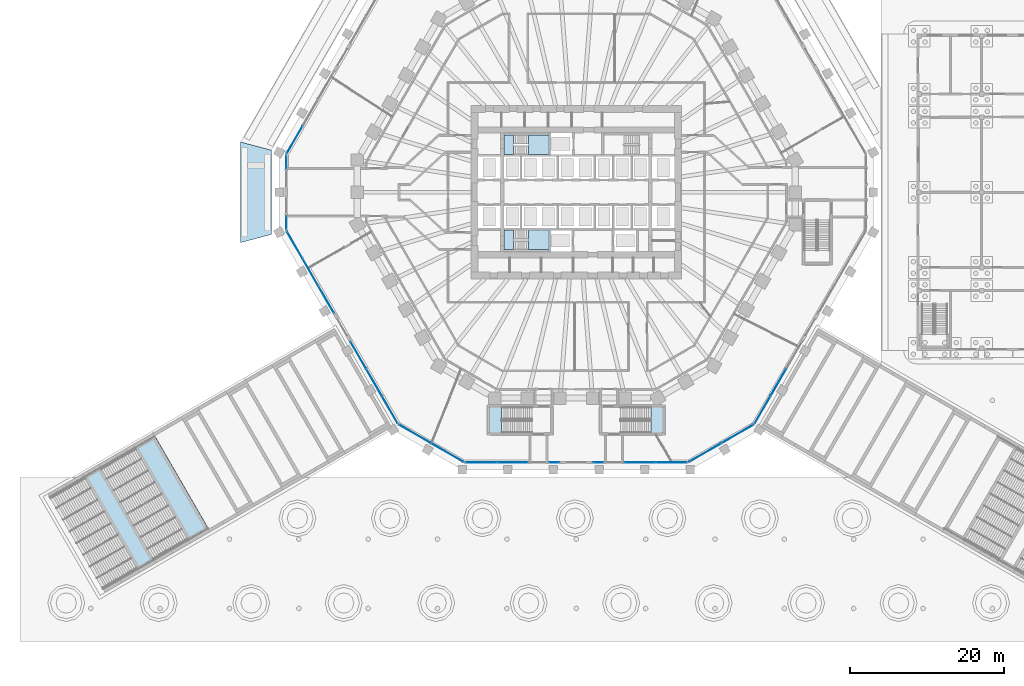
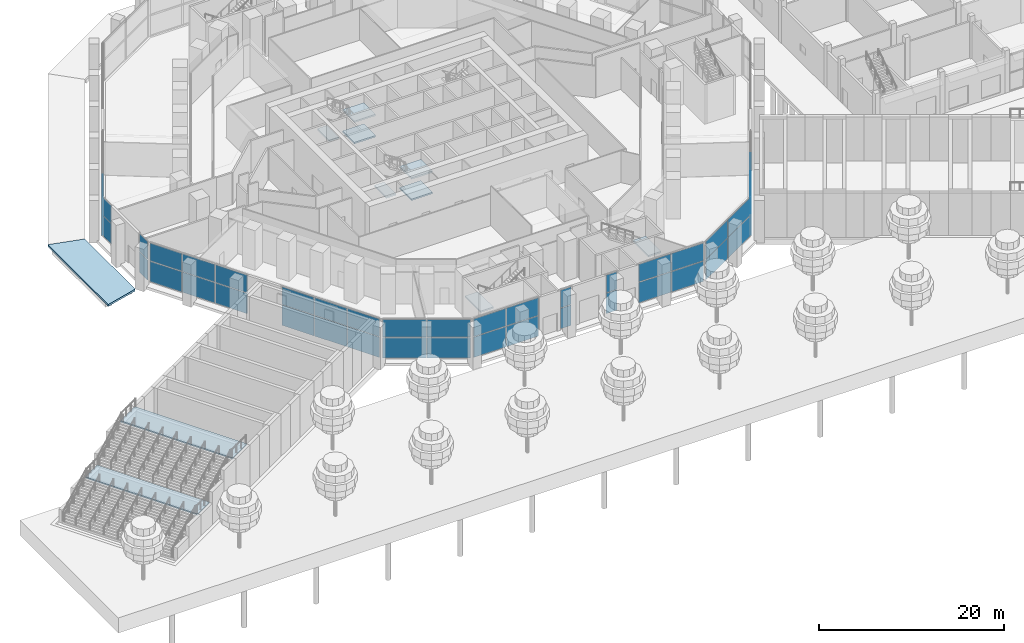
# One storey, part 12 of 44: 42 plates, 11 slabs, 17 elements without a shape of their own.
"""IFC4 building model written with IfcOpenShell, lengths in metres."""

from ifc_helpers import new_model, si_unit, direction, frame, origin, origin_2d, place, context, subcontext, project, spatial, polyline, rectangle, outline, extrude, material, layer, layer_set, type_object, element, aggregate, save


model = new_model("IFC4")

# Units and contexts
model_context = context("Model", 3, precision=1e-05, world=origin(), true_north=direction((0.0, 1.0)))
body_context = subcontext(model_context, "Body", "Model", "MODEL_VIEW")
ifc_project = project(units=[si_unit("LENGTHUNIT", "METRE"), si_unit("AREAUNIT", "SQUARE_METRE"), si_unit("VOLUMEUNIT", "CUBIC_METRE"), si_unit("PLANEANGLEUNIT", "RADIAN"), si_unit("MASSUNIT", "GRAM", prefix="KILO")], contexts=[model_context])

# Site, building, storey
site_placement = place(None, origin())
site = spatial("IfcSite", under=ifc_project, at=site_placement, CompositionType="ELEMENT")
building_placement = place(site_placement, origin())
building = spatial("IfcBuilding", under=site, at=building_placement, Name="Frailejon Research Tower", CompositionType="ELEMENT")
storey_placement = place(building_placement, origin())
storey = spatial("IfcBuildingStorey", under=building, at=storey_placement, Name="L00", CompositionType="ELEMENT", Elevation=0.0)

# Stair, slabs
ifc_material_1 = material(Name="Concrete C35/45", Category="concrete")
stair_type_1 = type_object("IfcStairType", Name="Broad stair", PredefinedType="STRAIGHT_RUN_STAIR", material=ifc_material_1)
stair_1_placement = place(storey_placement, origin())
stair_1 = element("IfcStair", 1, at=stair_1_placement, inside=storey, type_object=stair_type_1, Name="Broad stair W1", PredefinedType="STRAIGHT_RUN_STAIR")
ifc_material_2 = material(Name="Concrete C35/45", Category="concrete")
ifc_layer_1 = layer(ifc_material_2, 0.199951171875)
ifc_layer_set_1 = layer_set([ifc_layer_1], Name="Broad stair landing")
slab_type_1 = type_object("IfcSlabType", Name="Broad stair landing", PredefinedType="LANDING", material=ifc_layer_set_1)
slab_1_placement = place(storey_placement, frame((0.0, 0.0, 5.39990234375)))
slab_1 = element("IfcSlab", 2, at=slab_1_placement, type_object=slab_type_1, Name="SS-W1 landing 1", PredefinedType="LANDING", context=body_context, shape_type="SweptSolid", body=[
    extrude(outline(polyline([(-54.689453125, -31.574951171875), (-57.374267578125, -33.125), (-50.374267578125, -45.24951171875), (-47.689453125, -43.699462890625), (-54.689453125, -31.574951171875)])), origin(), (0.0, 0.0, 1.0), 0.2001953125),
])
slab_2_placement = place(storey_placement, frame((0.0, 0.0, 2.60009765625)))
slab_2 = element("IfcSlab", 3, at=slab_2_placement, type_object=slab_type_1, Name="SS-W1 landing 2", PredefinedType="LANDING", context=body_context, shape_type="SweptSolid", body=[
    extrude(outline(polyline([(-61.704345703125, -35.625), (-63.9560546875, -36.925048828125), (-56.9560546875, -49.04931640625), (-54.704345703125, -47.74951171875), (-61.704345703125, -35.625)])), origin(), (0.0, 0.0, 1.0), 0.199951171875),
])
aggregate(stair_1, [slab_1, slab_2])

# Curtain wall, plates
ifc_material_3 = material(Name="Aluminium curtain wall", Category="aluminium")
curtain_wall_type = type_object("IfcCurtainWallType", Name="Lobby atrium curtain wall system", PredefinedType="NOTDEFINED", material=ifc_material_3)
curtain_wall_1_placement = place(storey_placement, origin())
curtain_wall_1 = element("IfcCurtainWall", 4, at=curtain_wall_1_placement, inside=storey, type_object=curtain_wall_type, Name="Curtain wall L00", PredefinedType="NOTDEFINED")
ifc_material_4 = material(Name="Clear laminated glass", Category="glass")
ifc_layer_2 = layer(ifc_material_4, 0.035888671875)
ifc_layer_set_2 = layer_set([ifc_layer_2], Name="Lobby atrium curtain wall glass panel 36")
plate_type = type_object("IfcPlateType", Name="Lobby atrium curtain wall glass panel 36", PredefinedType="CURTAIN_PANEL", material=ifc_layer_set_2)
plate_1_placement = place(storey_placement, frame((-36.53173828125, 6.8251953125, 0.080078125), z_axis=(0.0, 0.0, 1.0), x_axis=(-0.499999762196, -0.866025541081, 0.0)))
plate_1 = element("IfcPlate", 5, at=plate_1_placement, type_object=plate_type, Name="CW1-010 panel 3.1", PredefinedType="CURTAIN_PANEL", context=body_context, shape_type="SweptSolid", body=[
    extrude(rectangle(XDim=3.989990234375, YDim=0.035888671875, at=origin_2d()), origin(), (0.0, 0.0, 1.0), 2.679931640625),
])
plate_2_placement = place(storey_placement, frame((-36.53173828125, 6.8251953125, 2.83984375), z_axis=(0.0, 0.0, 1.0), x_axis=(-0.499999762196, -0.866025541081, 0.0)))
plate_2 = element("IfcPlate", 6, at=plate_2_placement, type_object=plate_type, Name="CW1-010 panel 3.2", PredefinedType="CURTAIN_PANEL", context=body_context, shape_type="SweptSolid", body=[
    extrude(rectangle(XDim=3.989990234375, YDim=0.035888671875, at=origin_2d()), origin(), (0.0, 0.0, 1.0), 2.330078125),
])
aggregate(curtain_wall_1, [plate_1, plate_2])

curtain_wall_2_placement = place(storey_placement, origin())
curtain_wall_2 = element("IfcCurtainWall", 7, at=curtain_wall_2_placement, inside=storey, type_object=curtain_wall_type, Name="Curtain wall L00", PredefinedType="NOTDEFINED")
plate_3_placement = place(storey_placement, frame((-37.619140625, 3.9208984375, 0.080078125), z_axis=(0.0, 0.0, 1.0), x_axis=(0.0, -1.0, 0.0)))
plate_3 = element("IfcPlate", 8, at=plate_3_placement, type_object=plate_type, Name="CW1-011 panel 1.1", PredefinedType="CURTAIN_PANEL", context=body_context, shape_type="SweptSolid", body=[
    extrude(rectangle(XDim=1.681640625, YDim=0.035888671875, at=origin_2d()), origin(), (0.0, 0.0, 1.0), 2.679931640625),
])
plate_4_placement = place(storey_placement, frame((-37.619140625, 3.9208984375, 2.83984375), z_axis=(0.0, 0.0, 1.0), x_axis=(0.0, -1.0, 0.0)))
plate_4 = element("IfcPlate", 9, at=plate_4_placement, type_object=plate_type, Name="CW1-011 panel 1.2", PredefinedType="CURTAIN_PANEL", context=body_context, shape_type="SweptSolid", body=[
    extrude(rectangle(XDim=1.681640625, YDim=0.035888671875, at=origin_2d()), origin(), (0.0, 0.0, 1.0), 2.330078125),
])
aggregate(curtain_wall_2, [plate_3, plate_4])

curtain_wall_3_placement = place(storey_placement, origin())
curtain_wall_3 = element("IfcCurtainWall", 10, at=curtain_wall_3_placement, inside=storey, type_object=curtain_wall_type, Name="Curtain wall L00", PredefinedType="NOTDEFINED")
plate_5_placement = place(storey_placement, frame((-37.619140625, -3.9208984375, 0.080078125), z_axis=(0.0, 0.0, 1.0), x_axis=(0.0, -1.0, 0.0)))
plate_5 = element("IfcPlate", 11, at=plate_5_placement, type_object=plate_type, Name="CW1-012 panel 1.1", PredefinedType="CURTAIN_PANEL", context=body_context, shape_type="SweptSolid", body=[
    extrude(rectangle(XDim=1.681640625, YDim=0.035888671875, at=origin_2d()), origin(), (0.0, 0.0, 1.0), 2.679931640625),
])
plate_6_placement = place(storey_placement, frame((-37.619140625, -3.9208984375, 2.83984375), z_axis=(0.0, 0.0, 1.0), x_axis=(0.0, -1.0, 0.0)))
plate_6 = element("IfcPlate", 12, at=plate_6_placement, type_object=plate_type, Name="CW1-012 panel 1.2", PredefinedType="CURTAIN_PANEL", context=body_context, shape_type="SweptSolid", body=[
    extrude(rectangle(XDim=1.681640625, YDim=0.035888671875, at=origin_2d()), origin(), (0.0, 0.0, 1.0), 2.330078125),
])
aggregate(curtain_wall_3, [plate_5, plate_6])

curtain_wall_4_placement = place(storey_placement, origin())
curtain_wall_4 = element("IfcCurtainWall", 13, at=curtain_wall_4_placement, inside=storey, type_object=curtain_wall_type, Name="Curtain wall L00", PredefinedType="NOTDEFINED")
plate_7_placement = place(storey_placement, frame((-36.53173828125, -6.8251953125, 0.080078125), z_axis=(0.0, 0.0, 1.0), x_axis=(0.499999762196, -0.866025541081, 0.0)))
plate_7 = element("IfcPlate", 14, at=plate_7_placement, type_object=plate_type, Name="CW1-013 panel 1.1", PredefinedType="CURTAIN_PANEL", context=body_context, shape_type="SweptSolid", body=[
    extrude(rectangle(XDim=3.989990234375, YDim=0.035888671875, at=origin_2d()), origin(), (0.0, 0.0, 1.0), 2.679931640625),
])
plate_8_placement = place(storey_placement, frame((-36.53173828125, -6.8251953125, 2.83984375), z_axis=(0.0, 0.0, 1.0), x_axis=(0.499999762196, -0.866025541081, 0.0)))
plate_8 = element("IfcPlate", 15, at=plate_8_placement, type_object=plate_type, Name="CW1-013 panel 1.2", PredefinedType="CURTAIN_PANEL", context=body_context, shape_type="SweptSolid", body=[
    extrude(rectangle(XDim=3.989990234375, YDim=0.035888671875, at=origin_2d()), origin(), (0.0, 0.0, 1.0), 2.330078125),
])
plate_9_placement = place(storey_placement, frame((-34.48681640625, -10.3671875, 0.080078125), z_axis=(0.0, 0.0, 1.0), x_axis=(0.499999762196, -0.866025541081, 0.0)))
plate_9 = element("IfcPlate", 16, at=plate_9_placement, type_object=plate_type, Name="CW1-013 panel 2.1", PredefinedType="CURTAIN_PANEL", context=body_context, shape_type="SweptSolid", body=[
    extrude(rectangle(XDim=4.030029296875, YDim=0.035888671875, at=origin_2d()), origin(), (0.0, 0.0, 1.0), 2.679931640625),
])
plate_10_placement = place(storey_placement, frame((-34.48681640625, -10.3671875, 2.83984375), z_axis=(0.0, 0.0, 1.0), x_axis=(0.499999762196, -0.866025541081, 0.0)))
plate_10 = element("IfcPlate", 17, at=plate_10_placement, type_object=plate_type, Name="CW1-013 panel 2.2", PredefinedType="CURTAIN_PANEL", context=body_context, shape_type="SweptSolid", body=[
    extrude(rectangle(XDim=4.030029296875, YDim=0.035888671875, at=origin_2d()), origin(), (0.0, 0.0, 1.0), 2.330078125),
])
plate_11_placement = place(storey_placement, frame((-32.441650390625, -13.9091796875, 0.080078125), z_axis=(0.0, 0.0, 1.0), x_axis=(0.499999762196, -0.866025541081, 0.0)))
plate_11 = element("IfcPlate", 18, at=plate_11_placement, type_object=plate_type, Name="CW1-013 panel 3.1", PredefinedType="CURTAIN_PANEL", context=body_context, shape_type="SweptSolid", body=[
    extrude(rectangle(XDim=3.989990234375, YDim=0.035888671875, at=origin_2d()), origin(), (0.0, 0.0, 1.0), 2.679931640625),
])
plate_12_placement = place(storey_placement, frame((-32.441650390625, -13.9091796875, 2.83984375), z_axis=(0.0, 0.0, 1.0), x_axis=(0.499999762196, -0.866025541081, 0.0)))
plate_12 = element("IfcPlate", 19, at=plate_12_placement, type_object=plate_type, Name="CW1-013 panel 3.2", PredefinedType="CURTAIN_PANEL", context=body_context, shape_type="SweptSolid", body=[
    extrude(rectangle(XDim=3.989990234375, YDim=0.035888671875, at=origin_2d()), origin(), (0.0, 0.0, 1.0), 2.330078125),
])
aggregate(curtain_wall_4, [plate_7, plate_8, plate_9, plate_10, plate_11, plate_12])

curtain_wall_5_placement = place(storey_placement, origin())
curtain_wall_5 = element("IfcCurtainWall", 20, at=curtain_wall_5_placement, inside=storey, type_object=curtain_wall_type, Name="Curtain wall L00", PredefinedType="NOTDEFINED")
plate_13_placement = place(storey_placement, frame((-28.2666015625, -21.140625, 0.080078125), z_axis=(0.0, 0.0, 1.0), x_axis=(0.499999762196, -0.866025541081, 0.0)))
plate_13 = element("IfcPlate", 21, at=plate_13_placement, type_object=plate_type, Name="CW1-014 panel 1.1", PredefinedType="CURTAIN_PANEL", context=body_context, shape_type="SweptSolid", body=[
    extrude(rectangle(XDim=3.989990234375, YDim=0.035888671875, at=origin_2d()), origin(), (0.0, 0.0, 1.0), 2.679931640625),
])
plate_14_placement = place(storey_placement, frame((-28.2666015625, -21.140625, 2.83984375), z_axis=(0.0, 0.0, 1.0), x_axis=(0.499999762196, -0.866025541081, 0.0)))
plate_14 = element("IfcPlate", 22, at=plate_14_placement, type_object=plate_type, Name="CW1-014 panel 1.2", PredefinedType="CURTAIN_PANEL", context=body_context, shape_type="SweptSolid", body=[
    extrude(rectangle(XDim=3.989990234375, YDim=0.035888671875, at=origin_2d()), origin(), (0.0, 0.0, 1.0), 2.330078125),
])
plate_15_placement = place(storey_placement, frame((-26.2216796875, -24.682861328125, 0.080078125), z_axis=(0.0, 0.0, 1.0), x_axis=(0.499999762196, -0.866025541081, 0.0)))
plate_15 = element("IfcPlate", 23, at=plate_15_placement, type_object=plate_type, Name="CW1-014 panel 2.1", PredefinedType="CURTAIN_PANEL", context=body_context, shape_type="SweptSolid", body=[
    extrude(rectangle(XDim=4.030029296875, YDim=0.035888671875, at=origin_2d()), origin(), (0.0, 0.0, 1.0), 2.679931640625),
])
plate_16_placement = place(storey_placement, frame((-26.2216796875, -24.682861328125, 2.83984375), z_axis=(0.0, 0.0, 1.0), x_axis=(0.499999762196, -0.866025541081, 0.0)))
plate_16 = element("IfcPlate", 24, at=plate_16_placement, type_object=plate_type, Name="CW1-014 panel 2.2", PredefinedType="CURTAIN_PANEL", context=body_context, shape_type="SweptSolid", body=[
    extrude(rectangle(XDim=4.030029296875, YDim=0.035888671875, at=origin_2d()), origin(), (0.0, 0.0, 1.0), 2.330078125),
])
plate_17_placement = place(storey_placement, frame((-24.1767578125, -28.224853515625, 0.080078125), z_axis=(0.0, 0.0, 1.0), x_axis=(0.499999762196, -0.866025541081, 0.0)))
plate_17 = element("IfcPlate", 25, at=plate_17_placement, type_object=plate_type, Name="CW1-014 panel 3.1", PredefinedType="CURTAIN_PANEL", context=body_context, shape_type="SweptSolid", body=[
    extrude(rectangle(XDim=3.989990234375, YDim=0.035888671875, at=origin_2d()), origin(), (0.0, 0.0, 1.0), 2.679931640625),
])
plate_18_placement = place(storey_placement, frame((-24.1767578125, -28.224853515625, 2.83984375), z_axis=(0.0, 0.0, 1.0), x_axis=(0.499999762196, -0.866025541081, 0.0)))
plate_18 = element("IfcPlate", 26, at=plate_18_placement, type_object=plate_type, Name="CW1-014 panel 3.2", PredefinedType="CURTAIN_PANEL", context=body_context, shape_type="SweptSolid", body=[
    extrude(rectangle(XDim=3.989990234375, YDim=0.035888671875, at=origin_2d()), origin(), (0.0, 0.0, 1.0), 2.330078125),
])
aggregate(curtain_wall_5, [plate_13, plate_14, plate_15, plate_16, plate_17, plate_18])

curtain_wall_6_placement = place(storey_placement, origin())
curtain_wall_6 = element("IfcCurtainWall", 27, at=curtain_wall_6_placement, inside=storey, type_object=curtain_wall_type, Name="Curtain wall L00", PredefinedType="NOTDEFINED")
plate_19_placement = place(storey_placement, frame((-20.888916015625, -31.37890625, 0.080078125), z_axis=(0.0, 0.0, 1.0), x_axis=(0.866025476338, -0.499999874334, 0.0)))
plate_19 = element("IfcPlate", 28, at=plate_19_placement, type_object=plate_type, Name="CW1-015 panel 1.1", PredefinedType="CURTAIN_PANEL", context=body_context, shape_type="SweptSolid", body=[
    extrude(rectangle(XDim=4.7216796875, YDim=0.035888671875, at=origin_2d()), origin(), (0.0, 0.0, 1.0), 2.679931640625),
])
plate_20_placement = place(storey_placement, frame((-20.888916015625, -31.37890625, 2.83984375), z_axis=(0.0, 0.0, 1.0), x_axis=(0.866025476338, -0.499999874334, 0.0)))
plate_20 = element("IfcPlate", 29, at=plate_20_placement, type_object=plate_type, Name="CW1-015 panel 1.2", PredefinedType="CURTAIN_PANEL", context=body_context, shape_type="SweptSolid", body=[
    extrude(rectangle(XDim=4.7216796875, YDim=0.035888671875, at=origin_2d()), origin(), (0.0, 0.0, 1.0), 2.330078125),
])
plate_21_placement = place(storey_placement, frame((-16.73046875, -33.779541015625, 0.080078125), z_axis=(0.0, 0.0, 1.0), x_axis=(0.866025476338, -0.499999874334, 0.0)))
plate_21 = element("IfcPlate", 30, at=plate_21_placement, type_object=plate_type, Name="CW1-015 panel 2.1", PredefinedType="CURTAIN_PANEL", context=body_context, shape_type="SweptSolid", body=[
    extrude(rectangle(XDim=4.7216796875, YDim=0.035888671875, at=origin_2d()), origin(), (0.0, 0.0, 1.0), 2.679931640625),
])
plate_22_placement = place(storey_placement, frame((-16.73046875, -33.779541015625, 2.83984375), z_axis=(0.0, 0.0, 1.0), x_axis=(0.866025476338, -0.499999874334, 0.0)))
plate_22 = element("IfcPlate", 31, at=plate_22_placement, type_object=plate_type, Name="CW1-015 panel 2.2", PredefinedType="CURTAIN_PANEL", context=body_context, shape_type="SweptSolid", body=[
    extrude(rectangle(XDim=4.7216796875, YDim=0.035888671875, at=origin_2d()), origin(), (0.0, 0.0, 1.0), 2.330078125),
])
aggregate(curtain_wall_6, [plate_19, plate_20, plate_21, plate_22])

curtain_wall_7_placement = place(storey_placement, origin())
curtain_wall_7 = element("IfcCurtainWall", 32, at=curtain_wall_7_placement, inside=storey, type_object=curtain_wall_type, Name="Curtain wall L00", PredefinedType="NOTDEFINED")
plate_23_placement = place(storey_placement, frame((-12.351806640625, -35.050048828125, 0.080078125), z_axis=(0.0, 0.0, 1.0), x_axis=(1.0, 0.0, 0.0)))
plate_23 = element("IfcPlate", 33, at=plate_23_placement, type_object=plate_type, Name="CW1-016 panel 1.1", PredefinedType="CURTAIN_PANEL", context=body_context, shape_type="SweptSolid", body=[
    extrude(rectangle(XDim=3.99658203125, YDim=0.035888671875, at=origin_2d()), origin(), (0.0, 0.0, 1.0), 2.679931640625),
])
plate_24_placement = place(storey_placement, frame((-12.351806640625, -35.050048828125, 2.83984375), z_axis=(0.0, 0.0, 1.0), x_axis=(1.0, 0.0, 0.0)))
plate_24 = element("IfcPlate", 34, at=plate_24_placement, type_object=plate_type, Name="CW1-016 panel 1.2", PredefinedType="CURTAIN_PANEL", context=body_context, shape_type="SweptSolid", body=[
    extrude(rectangle(XDim=3.99658203125, YDim=0.035888671875, at=origin_2d()), origin(), (0.0, 0.0, 1.0), 2.330078125),
])
plate_25_placement = place(storey_placement, frame((-8.275390625, -35.050048828125, 0.080078125), z_axis=(0.0, 0.0, 1.0), x_axis=(1.0, 0.0, 0.0)))
plate_25 = element("IfcPlate", 35, at=plate_25_placement, type_object=plate_type, Name="CW1-016 panel 2.1", PredefinedType="CURTAIN_PANEL", context=body_context, shape_type="SweptSolid", body=[
    extrude(rectangle(XDim=3.99658203125, YDim=0.035888671875, at=origin_2d()), origin(), (0.0, 0.0, 1.0), 2.679931640625),
])
plate_26_placement = place(storey_placement, frame((-8.275390625, -35.050048828125, 2.83984375), z_axis=(0.0, 0.0, 1.0), x_axis=(1.0, 0.0, 0.0)))
plate_26 = element("IfcPlate", 36, at=plate_26_placement, type_object=plate_type, Name="CW1-016 panel 2.2", PredefinedType="CURTAIN_PANEL", context=body_context, shape_type="SweptSolid", body=[
    extrude(rectangle(XDim=3.99658203125, YDim=0.035888671875, at=origin_2d()), origin(), (0.0, 0.0, 1.0), 2.330078125),
])
aggregate(curtain_wall_7, [plate_23, plate_24, plate_25, plate_26])

curtain_wall_8_placement = place(storey_placement, origin())
curtain_wall_8 = element("IfcCurtainWall", 37, at=curtain_wall_8_placement, inside=storey, type_object=curtain_wall_type, Name="Curtain wall L00", PredefinedType="NOTDEFINED")
plate_27_placement = place(storey_placement, frame((-2.848388671875, -35.050048828125, 0.080078125), z_axis=(0.0, 0.0, 1.0), x_axis=(1.0, 0.0, 0.0)))
plate_27 = element("IfcPlate", 38, at=plate_27_placement, type_object=plate_type, Name="CW1-X04 panel 1.1", PredefinedType="CURTAIN_PANEL", context=body_context, shape_type="SweptSolid", body=[
    extrude(rectangle(XDim=1.3369140625, YDim=0.035888671875, at=origin_2d()), origin(), (0.0, 0.0, 1.0), 2.679931640625),
])
plate_28_placement = place(storey_placement, frame((-2.848388671875, -35.050048828125, 2.83984375), z_axis=(0.0, 0.0, 1.0), x_axis=(1.0, 0.0, 0.0)))
plate_28 = element("IfcPlate", 39, at=plate_28_placement, type_object=plate_type, Name="CW1-X04 panel 1.2", PredefinedType="CURTAIN_PANEL", context=body_context, shape_type="SweptSolid", body=[
    extrude(rectangle(XDim=1.3369140625, YDim=0.035888671875, at=origin_2d()), origin(), (0.0, 0.0, 1.0), 2.330078125),
])
aggregate(curtain_wall_8, [plate_27, plate_28])

curtain_wall_9_placement = place(storey_placement, origin())
curtain_wall_9 = element("IfcCurtainWall", 40, at=curtain_wall_9_placement, inside=storey, type_object=curtain_wall_type, Name="Curtain wall L00", PredefinedType="NOTDEFINED")
plate_29_placement = place(storey_placement, frame((2.848388671875, -35.050048828125, 0.080078125), z_axis=(0.0, 0.0, 1.0), x_axis=(1.0, 0.0, 0.0)))
plate_29 = element("IfcPlate", 41, at=plate_29_placement, type_object=plate_type, Name="CW1-017 panel 1.1", PredefinedType="CURTAIN_PANEL", context=body_context, shape_type="SweptSolid", body=[
    extrude(rectangle(XDim=1.3369140625, YDim=0.035888671875, at=origin_2d()), origin(), (0.0, 0.0, 1.0), 2.679931640625),
])
plate_30_placement = place(storey_placement, frame((2.848388671875, -35.050048828125, 2.83984375), z_axis=(0.0, 0.0, 1.0), x_axis=(1.0, 0.0, 0.0)))
plate_30 = element("IfcPlate", 42, at=plate_30_placement, type_object=plate_type, Name="CW1-017 panel 1.2", PredefinedType="CURTAIN_PANEL", context=body_context, shape_type="SweptSolid", body=[
    extrude(rectangle(XDim=1.3369140625, YDim=0.035888671875, at=origin_2d()), origin(), (0.0, 0.0, 1.0), 2.330078125),
])
aggregate(curtain_wall_9, [plate_29, plate_30])

curtain_wall_10_placement = place(storey_placement, origin())
curtain_wall_10 = element("IfcCurtainWall", 43, at=curtain_wall_10_placement, inside=storey, type_object=curtain_wall_type, Name="Curtain wall L00", PredefinedType="NOTDEFINED")
plate_31_placement = place(storey_placement, frame((8.275146484375, -35.050048828125, 0.080078125), z_axis=(0.0, 0.0, 1.0), x_axis=(1.0, 0.0, 0.0)))
plate_31 = element("IfcPlate", 44, at=plate_31_placement, type_object=plate_type, Name="CW1-X05 panel 1.1", PredefinedType="CURTAIN_PANEL", context=body_context, shape_type="SweptSolid", body=[
    extrude(rectangle(XDim=3.99658203125, YDim=0.035888671875, at=origin_2d()), origin(), (0.0, 0.0, 1.0), 2.679931640625),
])
plate_32_placement = place(storey_placement, frame((8.275146484375, -35.050048828125, 2.83984375), z_axis=(0.0, 0.0, 1.0), x_axis=(1.0, 0.0, 0.0)))
plate_32 = element("IfcPlate", 45, at=plate_32_placement, type_object=plate_type, Name="CW1-X05 panel 1.2", PredefinedType="CURTAIN_PANEL", context=body_context, shape_type="SweptSolid", body=[
    extrude(rectangle(XDim=3.99658203125, YDim=0.035888671875, at=origin_2d()), origin(), (0.0, 0.0, 1.0), 2.330078125),
])
plate_33_placement = place(storey_placement, frame((12.351806640625, -35.050048828125, 0.080078125), z_axis=(0.0, 0.0, 1.0), x_axis=(1.0, 0.0, 0.0)))
plate_33 = element("IfcPlate", 46, at=plate_33_placement, type_object=plate_type, Name="CW1-X05 panel 2.1", PredefinedType="CURTAIN_PANEL", context=body_context, shape_type="SweptSolid", body=[
    extrude(rectangle(XDim=3.99658203125, YDim=0.035888671875, at=origin_2d()), origin(), (0.0, 0.0, 1.0), 2.679931640625),
])
plate_34_placement = place(storey_placement, frame((12.351806640625, -35.050048828125, 2.83984375), z_axis=(0.0, 0.0, 1.0), x_axis=(1.0, 0.0, 0.0)))
plate_34 = element("IfcPlate", 47, at=plate_34_placement, type_object=plate_type, Name="CW1-X05 panel 2.2", PredefinedType="CURTAIN_PANEL", context=body_context, shape_type="SweptSolid", body=[
    extrude(rectangle(XDim=3.99658203125, YDim=0.035888671875, at=origin_2d()), origin(), (0.0, 0.0, 1.0), 2.330078125),
])
aggregate(curtain_wall_10, [plate_31, plate_32, plate_33, plate_34])

curtain_wall_11_placement = place(storey_placement, origin())
curtain_wall_11 = element("IfcCurtainWall", 48, at=curtain_wall_11_placement, inside=storey, type_object=curtain_wall_type, Name="Curtain wall L00", PredefinedType="NOTDEFINED")
plate_35_placement = place(storey_placement, frame((16.73046875, -33.779541015625, 0.080078125), z_axis=(0.0, 0.0, 1.0), x_axis=(0.866025476338, 0.499999874334, 0.0)))
plate_35 = element("IfcPlate", 49, at=plate_35_placement, type_object=plate_type, Name="CW1-018 panel 1.1", PredefinedType="CURTAIN_PANEL", context=body_context, shape_type="SweptSolid", body=[
    extrude(rectangle(XDim=4.7216796875, YDim=0.035888671875, at=origin_2d()), origin(), (0.0, 0.0, 1.0), 2.679931640625),
])
plate_36_placement = place(storey_placement, frame((16.73046875, -33.779541015625, 2.83984375), z_axis=(0.0, 0.0, 1.0), x_axis=(0.866025476338, 0.499999874334, 0.0)))
plate_36 = element("IfcPlate", 50, at=plate_36_placement, type_object=plate_type, Name="CW1-018 panel 1.2", PredefinedType="CURTAIN_PANEL", context=body_context, shape_type="SweptSolid", body=[
    extrude(rectangle(XDim=4.7216796875, YDim=0.035888671875, at=origin_2d()), origin(), (0.0, 0.0, 1.0), 2.330078125),
])
plate_37_placement = place(storey_placement, frame((20.888916015625, -31.37890625, 0.080078125), z_axis=(0.0, 0.0, 1.0), x_axis=(0.866025476338, 0.499999874334, 0.0)))
plate_37 = element("IfcPlate", 51, at=plate_37_placement, type_object=plate_type, Name="CW1-018 panel 2.1", PredefinedType="CURTAIN_PANEL", context=body_context, shape_type="SweptSolid", body=[
    extrude(rectangle(XDim=4.7216796875, YDim=0.035888671875, at=origin_2d()), origin(), (0.0, 0.0, 1.0), 2.679931640625),
])
plate_38_placement = place(storey_placement, frame((20.888916015625, -31.37890625, 2.83984375), z_axis=(0.0, 0.0, 1.0), x_axis=(0.866025476338, 0.499999874334, 0.0)))
plate_38 = element("IfcPlate", 52, at=plate_38_placement, type_object=plate_type, Name="CW1-018 panel 2.2", PredefinedType="CURTAIN_PANEL", context=body_context, shape_type="SweptSolid", body=[
    extrude(rectangle(XDim=4.7216796875, YDim=0.035888671875, at=origin_2d()), origin(), (0.0, 0.0, 1.0), 2.330078125),
])
aggregate(curtain_wall_11, [plate_35, plate_36, plate_37, plate_38])

curtain_wall_12_placement = place(storey_placement, origin())
curtain_wall_12 = element("IfcCurtainWall", 53, at=curtain_wall_12_placement, inside=storey, type_object=curtain_wall_type, Name="Curtain wall L00", PredefinedType="NOTDEFINED")
plate_39_placement = place(storey_placement, frame((24.1767578125, -28.224853515625, 0.080078125), z_axis=(0.0, 0.0, 1.0), x_axis=(0.499999762196, 0.866025541081, 0.0)))
plate_39 = element("IfcPlate", 54, at=plate_39_placement, type_object=plate_type, Name="CW1-019 panel 1.1", PredefinedType="CURTAIN_PANEL", context=body_context, shape_type="SweptSolid", body=[
    extrude(rectangle(XDim=3.989990234375, YDim=0.035888671875, at=origin_2d()), origin(), (0.0, 0.0, 1.0), 2.679931640625),
])
plate_40_placement = place(storey_placement, frame((24.1767578125, -28.224853515625, 2.83984375), z_axis=(0.0, 0.0, 1.0), x_axis=(0.499999762196, 0.866025541081, 0.0)))
plate_40 = element("IfcPlate", 55, at=plate_40_placement, type_object=plate_type, Name="CW1-019 panel 1.2", PredefinedType="CURTAIN_PANEL", context=body_context, shape_type="SweptSolid", body=[
    extrude(rectangle(XDim=3.989990234375, YDim=0.035888671875, at=origin_2d()), origin(), (0.0, 0.0, 1.0), 2.330078125),
])
plate_41_placement = place(storey_placement, frame((26.2216796875, -24.682861328125, 0.080078125), z_axis=(0.0, 0.0, 1.0), x_axis=(0.499999762196, 0.866025541081, 0.0)))
plate_41 = element("IfcPlate", 56, at=plate_41_placement, type_object=plate_type, Name="CW1-019 panel 2.1", PredefinedType="CURTAIN_PANEL", context=body_context, shape_type="SweptSolid", body=[
    extrude(rectangle(XDim=4.030029296875, YDim=0.035888671875, at=origin_2d()), origin(), (0.0, 0.0, 1.0), 2.679931640625),
])
plate_42_placement = place(storey_placement, frame((26.2216796875, -24.682861328125, 2.83984375), z_axis=(0.0, 0.0, 1.0), x_axis=(0.499999762196, 0.866025541081, 0.0)))
plate_42 = element("IfcPlate", 57, at=plate_42_placement, type_object=plate_type, Name="CW1-019 panel 2.2", PredefinedType="CURTAIN_PANEL", context=body_context, shape_type="SweptSolid", body=[
    extrude(rectangle(XDim=4.030029296875, YDim=0.035888671875, at=origin_2d()), origin(), (0.0, 0.0, 1.0), 2.330078125),
])
aggregate(curtain_wall_12, [plate_39, plate_40, plate_41, plate_42])

# Slab
ifc_material_5 = material(Name="Precast concrete paving C30/37", Category="concrete")
ifc_layer_3 = layer(ifc_material_5, 0.25)
ifc_layer_set_3 = layer_set([ifc_layer_3], Name="Plaza paving 250")
slab_type_2 = type_object("IfcSlabType", Name="Plaza paving 250", PredefinedType="USERDEFINED", material=ifc_layer_set_3)
slab_3_placement = place(storey_placement, frame((0.0, 0.0, -0.25)))
element("IfcSlab", 58, at=slab_3_placement, inside=storey, type_object=slab_type_2, Name="Plaza walk paving", ObjectType="PAVING", PredefinedType="USERDEFINED", context=body_context, shape_type="SweptSolid", body=[
    extrude(outline(polyline([(-39.569091796875, -5.464111328125), (-39.569091796875, 5.464111328125), (-43.569091796875, 6.535888671875), (-43.569091796875, -6.535888671875), (-39.569091796875, -5.464111328125)])), origin(), (0.0, 0.0, 1.0), 0.25),
])

# Stair, slabs
ifc_material_6 = material(Name="Concrete C50/60", Category="concrete")
stair_type_2 = type_object("IfcStairType", Name="Exit stair 32 risers", PredefinedType="HALF_TURN_STAIR", material=ifc_material_6)
stair_2_placement = place(storey_placement, origin())
stair_2 = element("IfcStair", 59, at=stair_2_placement, inside=storey, type_object=stair_type_2, Name="L00 Exit stair ST1", PredefinedType="HALF_TURN_STAIR")
ifc_material_7 = material(Name="Concrete C50/60", Category="concrete")
ifc_layer_4 = layer(ifc_material_7, 0.199951171875)
ifc_layer_set_4 = layer_set([ifc_layer_4], Name="Stair landing slab 200")
slab_type_3 = type_object("IfcSlabType", Name="Stair landing slab 200", PredefinedType="LANDING", material=ifc_layer_set_4)
slab_4_placement = place(storey_placement, frame((0.0, 0.0, 1.199951171875)))
slab_4 = element("IfcSlab", 60, at=slab_4_placement, type_object=slab_type_3, Name="ST1 landing 1", PredefinedType="LANDING", context=body_context, shape_type="SweptSolid", body=[
    extrude(outline(polyline([(-6.18994140625, 4.89990234375), (-3.550048828125, 4.89990234375), (-3.550048828125, 7.449951171875), (-6.18994140625, 7.449951171875), (-6.18994140625, 4.89990234375)])), origin(), (0.0, 0.0, 1.0), 0.199951171875),
])
slab_5_placement = place(storey_placement, frame((0.0, 0.0, 2.60009765625)))
slab_5 = element("IfcSlab", 61, at=slab_5_placement, type_object=slab_type_3, Name="ST1 landing 2", PredefinedType="LANDING", context=body_context, shape_type="SweptSolid", body=[
    extrude(outline(polyline([(-9.35009765625, 4.89990234375), (-8.14990234375, 4.89990234375), (-8.14990234375, 7.449951171875), (-9.35009765625, 7.449951171875), (-9.35009765625, 4.89990234375)])), origin(), (0.0, 0.0, 1.0), 0.199951171875),
])
slab_6_placement = place(storey_placement, frame((0.0, 0.0, 4.0)))
slab_6 = element("IfcSlab", 62, at=slab_6_placement, type_object=slab_type_3, Name="ST1 landing 3", PredefinedType="LANDING", context=body_context, shape_type="SweptSolid", body=[
    extrude(outline(polyline([(-6.18994140625, 4.89990234375), (-3.550048828125, 4.89990234375), (-3.550048828125, 7.449951171875), (-6.18994140625, 7.449951171875), (-6.18994140625, 4.89990234375)])), origin(), (0.0, 0.0, 1.0), 0.199951171875),
])
aggregate(stair_2, [slab_4, slab_5, slab_6])

stair_3_placement = place(storey_placement, origin())
stair_3 = element("IfcStair", 63, at=stair_3_placement, inside=storey, type_object=stair_type_2, Name="L00 Exit stair ST2", PredefinedType="HALF_TURN_STAIR")
slab_7_placement = place(storey_placement, frame((0.0, 0.0, 1.199951171875)))
slab_7 = element("IfcSlab", 64, at=slab_7_placement, type_object=slab_type_3, Name="ST2 landing 1", PredefinedType="LANDING", context=body_context, shape_type="SweptSolid", body=[
    extrude(outline(polyline([(-6.18994140625, -7.449951171875), (-3.550048828125, -7.449951171875), (-3.550048828125, -4.89990234375), (-6.18994140625, -4.89990234375), (-6.18994140625, -7.449951171875)])), origin(), (0.0, 0.0, 1.0), 0.199951171875),
])
slab_8_placement = place(storey_placement, frame((0.0, 0.0, 2.60009765625)))
slab_8 = element("IfcSlab", 65, at=slab_8_placement, type_object=slab_type_3, Name="ST2 landing 2", PredefinedType="LANDING", context=body_context, shape_type="SweptSolid", body=[
    extrude(outline(polyline([(-9.35009765625, -7.449951171875), (-8.14990234375, -7.449951171875), (-8.14990234375, -4.89990234375), (-9.35009765625, -4.89990234375), (-9.35009765625, -7.449951171875)])), origin(), (0.0, 0.0, 1.0), 0.199951171875),
])
slab_9_placement = place(storey_placement, frame((0.0, 0.0, 4.0)))
slab_9 = element("IfcSlab", 66, at=slab_9_placement, type_object=slab_type_3, Name="ST2 landing 3", PredefinedType="LANDING", context=body_context, shape_type="SweptSolid", body=[
    extrude(outline(polyline([(-6.18994140625, -7.449951171875), (-3.550048828125, -7.449951171875), (-3.550048828125, -4.89990234375), (-6.18994140625, -4.89990234375), (-6.18994140625, -7.449951171875)])), origin(), (0.0, 0.0, 1.0), 0.199951171875),
])
aggregate(stair_3, [slab_7, slab_8, slab_9])

# Stair, slab
ifc_material_8 = material(Name="Concrete C50/60", Category="concrete")
stair_type_3 = type_object("IfcStairType", Name="Exit stair 30 risers", PredefinedType="HALF_TURN_STAIR", material=ifc_material_8)
stair_4_placement = place(storey_placement, origin())
stair_4 = element("IfcStair", 67, at=stair_4_placement, inside=storey, type_object=stair_type_3, Name="L00 Exit stair PS3", PredefinedType="HALF_TURN_STAIR")
slab_10_placement = place(storey_placement, frame((0.0, 0.0, 2.60009765625)))
slab_10 = element("IfcSlab", 68, at=slab_10_placement, type_object=slab_type_3, Name="PS3 landing 1", PredefinedType="LANDING", context=body_context, shape_type="SweptSolid", body=[
    extrude(outline(polyline([(-9.677001953125, -27.875), (-11.27685546875, -27.875), (-11.27685546875, -31.22509765625), (-9.677001953125, -31.22509765625), (-9.677001953125, -27.875)])), origin(), (0.0, 0.0, 1.0), 0.199951171875),
])
aggregate(stair_4, [slab_10])

stair_5_placement = place(storey_placement, origin())
stair_5 = element("IfcStair", 69, at=stair_5_placement, inside=storey, type_object=stair_type_3, Name="L00 Exit stair PS4", PredefinedType="HALF_TURN_STAIR")
slab_11_placement = place(storey_placement, frame((0.0, 0.0, 2.60009765625)))
slab_11 = element("IfcSlab", 70, at=slab_11_placement, type_object=slab_type_3, Name="PS4 landing 1", PredefinedType="LANDING", context=body_context, shape_type="SweptSolid", body=[
    extrude(outline(polyline([(9.677001953125, -31.22509765625), (11.27685546875, -31.22509765625), (11.27685546875, -27.875), (9.677001953125, -27.875), (9.677001953125, -31.22509765625)])), origin(), (0.0, 0.0, 1.0), 0.199951171875),
])
aggregate(stair_5, [slab_11])

save(model, "model.ifc")
